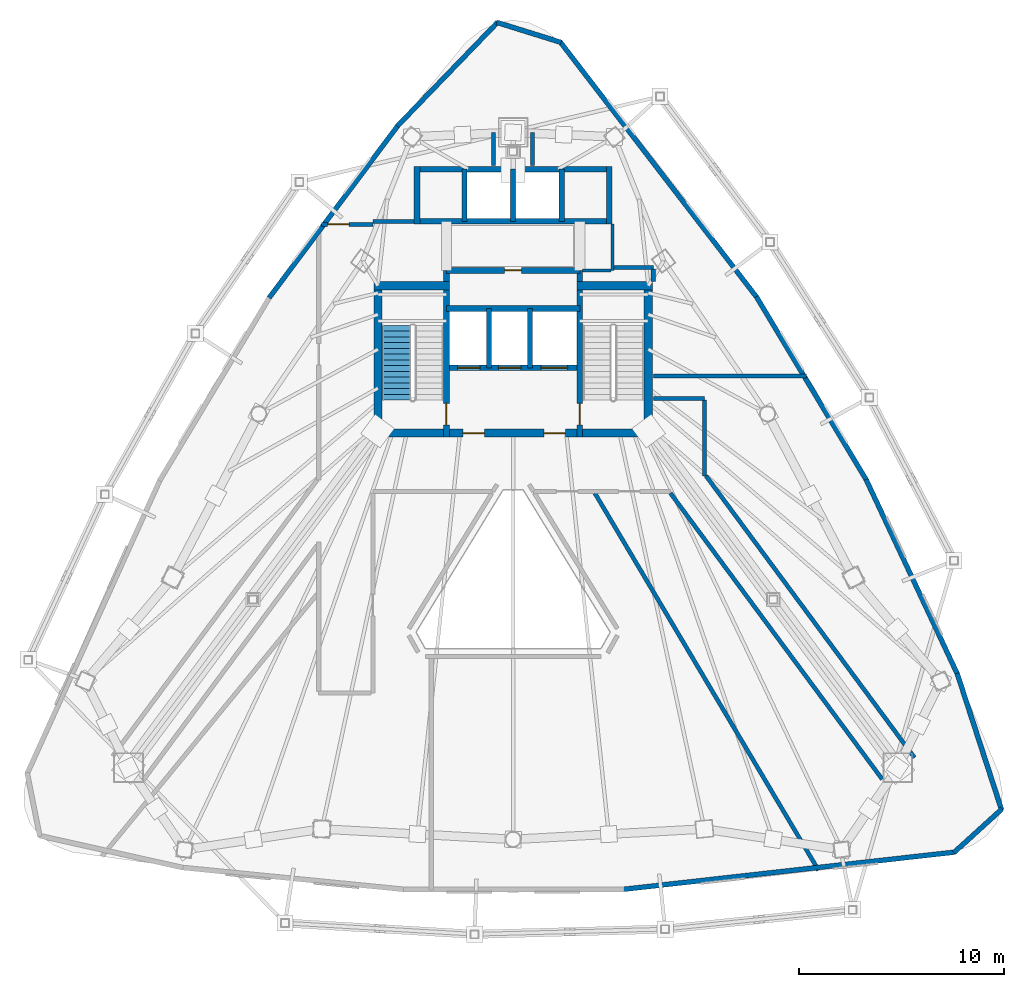
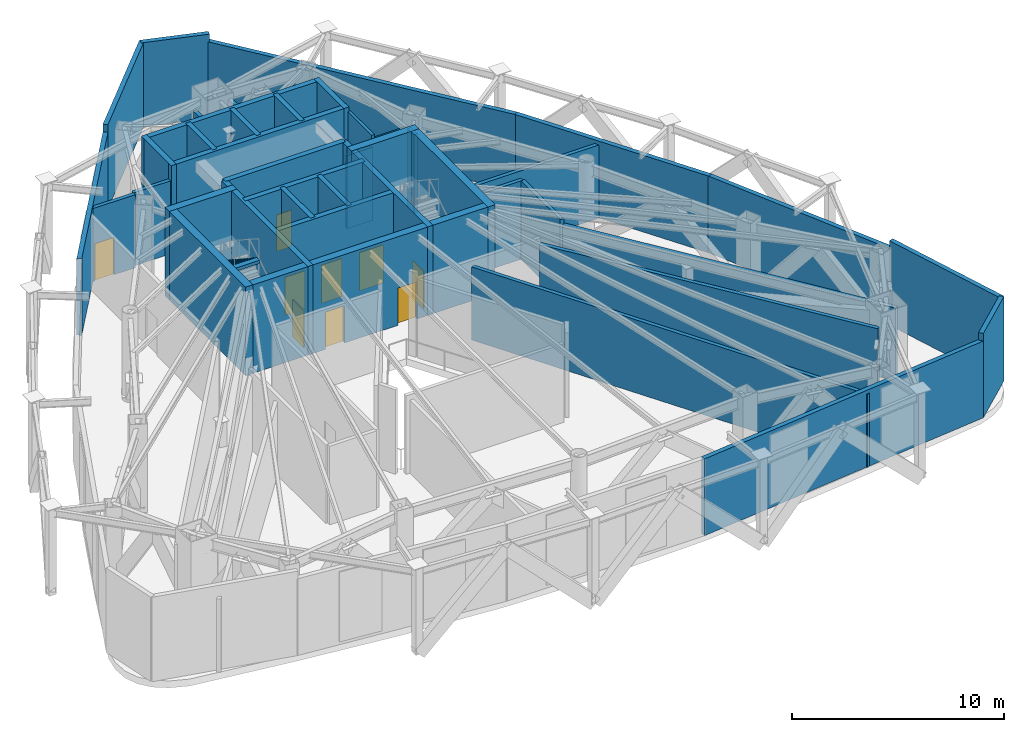
# One storey, part 6 of 10: 42 walls, 9 doors, 1 stair flight, 9 openings, 1 element without a shape of its own.
"""IFC4 building model written with IfcOpenShell, lengths in metres."""

from ifc_helpers import new_model, si_unit, direction, frame, frame_2d, origin, place, context, subcontext, project, spatial, polyline, rectangle, outline, extrude, material, layer, layer_set, type_object, element, fill, aggregate, save


model = new_model("IFC4")

# Units and contexts
model_context = context("Model", 3, precision=1e-05, world=origin(), true_north=direction((0.0, 1.0)))
body_context = subcontext(model_context, "Body", "Model", "MODEL_VIEW")
ifc_project = project(units=[si_unit("LENGTHUNIT", "METRE"), si_unit("AREAUNIT", "SQUARE_METRE"), si_unit("VOLUMEUNIT", "CUBIC_METRE"), si_unit("PLANEANGLEUNIT", "RADIAN"), si_unit("MASSUNIT", "GRAM", prefix="KILO")], contexts=[model_context])

# Site, building, storey
site_placement = place(None, origin())
site = spatial("IfcSite", under=ifc_project, at=site_placement, CompositionType="ELEMENT")
building_placement = place(site_placement, origin())
building = spatial("IfcBuilding", under=site, at=building_placement, Name="Orvanel Arch Residences", CompositionType="ELEMENT")
storey_placement = place(building_placement, frame((0.0, 0.0, 191.300048828125)))
storey = spatial("IfcBuildingStorey", under=building, at=storey_placement, Name="L54", CompositionType="ELEMENT", Elevation=191.300048828125)

# Walls
ifc_material_1 = material(Name="Precast concrete N50 (50 MPa)", Category="concrete")
ifc_layer_1 = layer(ifc_material_1, 0.239990234375)
ifc_layer_set_1 = layer_set([ifc_layer_1], Name="Precast concrete N50 (50 MPa)")
wall_type_1 = type_object("IfcWallType", Name="EW-BAL-240", PredefinedType="SOLIDWALL", material=ifc_layer_set_1)
wall_1_placement = place(storey_placement, frame((27.383056640625, 41.7548828125, 0.0), z_axis=(0.0, 0.0, 1.0), x_axis=(-0.598820885073, -0.800882979967, 0.0)))
element("IfcWall", 1, at=wall_1_placement, inside=storey, type_object=wall_type_1, Name="L54 Plant Acoustic Louvre Wall Face 1A", PredefinedType="SOLIDWALL", context=body_context, shape_type="SweptSolid", body=[
    extrude(rectangle(XDim=10.540771484375, YDim=0.239990234375, at=frame_2d((5.2705078125, 0.0))), origin(), (0.0, 0.0, 1.0), 4.424072265625),
])
wall_2_placement = place(storey_placement, frame((38.35595703125, 4.39892578125, 0.0), z_axis=(0.0, 0.0, 1.0), x_axis=(0.9937592284, 0.111546384836, 0.0)))
element("IfcWall", 2, at=wall_2_placement, inside=storey, type_object=wall_type_1, Name="L54 Plant Acoustic Louvre Wall Face 2C", PredefinedType="SOLIDWALL", context=body_context, shape_type="SweptSolid", body=[
    extrude(rectangle(XDim=16.343017578125, YDim=0.239990234375, at=frame_2d((8.17138671875, 0.0))), origin(), (0.0, 0.0, 1.0), 4.424072265625),
])
wall_3_placement = place(storey_placement, frame((54.72705078125, 14.89697265625, 0.0), z_axis=(0.0, 0.0, 1.0), x_axis=(-0.424652243229, 0.905356544308, 0.0)))
element("IfcWall", 3, at=wall_3_placement, inside=storey, type_object=wall_type_1, Name="L54 Plant Acoustic Louvre Wall Face 3A", PredefinedType="SOLIDWALL", context=body_context, shape_type="SweptSolid", body=[
    extrude(rectangle(XDim=10.54052734375, YDim=0.239990234375, at=frame_2d((5.270263671875, 0.0))), origin(), (0.0, 0.0, 1.0), 4.424072265625),
])
wall_4_placement = place(storey_placement, frame((50.283935546875, 24.3779296875, 0.0), z_axis=(0.0, 0.0, 1.0), x_axis=(-0.514365651005, 0.857570974944, 0.0)))
element("IfcWall", 4, at=wall_4_placement, inside=storey, type_object=wall_type_1, Name="L54 Plant Acoustic Louvre Wall Face 3B", PredefinedType="SOLIDWALL", context=body_context, shape_type="SweptSolid", body=[
    extrude(rectangle(XDim=10.48681640625, YDim=0.239990234375, at=frame_2d((5.243408203125, 0.0))), origin(), (0.0, 0.0, 1.0), 4.424072265625),
])
wall_5_placement = place(storey_placement, frame((44.928955078125, 33.31298828125, 0.0), z_axis=(0.0, 0.0, 1.0), x_axis=(-0.609887729318, 0.792487828063, 0.0)))
element("IfcWall", 5, at=wall_5_placement, inside=storey, type_object=wall_type_1, Name="L54 Plant Acoustic Louvre Wall Face 3C", PredefinedType="SOLIDWALL", context=body_context, shape_type="SweptSolid", body=[
    extrude(rectangle(XDim=15.799560546875, YDim=0.239990234375, at=frame_2d((7.89990234375, 0.0))), origin(), (0.0, 0.0, 1.0), 4.424072265625),
])
wall_6_placement = place(storey_placement, frame((35.346923828125, 45.7958984375, 0.0), z_axis=(0.0, 0.0, 1.0), x_axis=(-0.954803148422, 0.297238873238, 0.0)))
element("IfcWall", 6, at=wall_6_placement, inside=storey, type_object=wall_type_1, Name="L54 Plant Corner Enclosure Wall", PredefinedType="SOLIDWALL", context=body_context, shape_type="SweptSolid", body=[
    extrude(rectangle(XDim=3.301025390625, YDim=0.239990234375, at=frame_2d((1.650390625, 0.0))), origin(), (0.0, 0.0, 1.0), 4.85986328125),
])
wall_7_placement = place(storey_placement, frame((32.2529296875, 46.7919921875, 0.0), z_axis=(0.0, 0.0, 1.0), x_axis=(-0.694628995394, -0.71936816635, 0.0)))
element("IfcWall", 7, at=wall_7_placement, inside=storey, type_object=wall_type_1, Name="L54 Plant Corner Enclosure Wall", PredefinedType="SOLIDWALL", context=body_context, shape_type="SweptSolid", body=[
    extrude(rectangle(XDim=7.07568359375, YDim=0.239990234375, at=frame_2d((3.537841796875, 0.0))), origin(), (0.0, 0.0, 1.0), 4.85986328125),
])
wall_8_placement = place(storey_placement, frame((54.537109375, 6.194091796875, 0.0), z_axis=(0.0, 0.0, 1.0), x_axis=(0.740249045006, 0.672332768328, 0.0)))
element("IfcWall", 8, at=wall_8_placement, inside=storey, type_object=wall_type_1, Name="L54 Plant Corner Enclosure Wall", PredefinedType="SOLIDWALL", context=body_context, shape_type="SweptSolid", body=[
    extrude(rectangle(XDim=3.181396484375, YDim=0.239990234375, at=frame_2d((1.5908203125, 0.0))), origin(), (0.0, 0.0, 1.0), 4.85986328125),
])
wall_9_placement = place(storey_placement, frame((56.876953125, 8.27587890625, 0.0), z_axis=(0.0, 0.0, 1.0), x_axis=(-0.309354585721, 0.950946759968, 0.0)))
element("IfcWall", 9, at=wall_9_placement, inside=storey, type_object=wall_type_1, Name="L54 Plant Corner Enclosure Wall", PredefinedType="SOLIDWALL", context=body_context, shape_type="SweptSolid", body=[
    extrude(rectangle(XDim=7.031005859375, YDim=0.239990234375, at=frame_2d((3.515625, 0.0))), origin(), (0.0, 0.0, 1.0), 4.85986328125),
])
ifc_material_2 = material(Name="Concrete N50 (50 MPa)", Category="concrete")
ifc_layer_2 = layer(ifc_material_2, 0.25)
ifc_layer_set_2 = layer_set([ifc_layer_2], Name="Concrete N50 (50 MPa)")
wall_type_2 = type_object("IfcWallType", Name="SW-CORE-250", PredefinedType="SHEAR", material=ifc_layer_set_2)
for number, where, z_axis, x_axis, name in (
    (10, (31.824951171875, 29.889892578125, 0.0), (0.0, 0.0, 1.0), (0.0, 1.0, 0.0), "L54 Emergency Lift Inter-Shaft Wall F12"),
    (11, (33.824951171875, 29.889892578125, 0.0), (0.0, 0.0, 1.0), (0.0, 1.0, 0.0), "L54 Emergency Lift Inter-Shaft Wall F2G"),
):
    element("IfcWall", number, at=place(storey_placement, frame(where, z_axis=z_axis, x_axis=x_axis)), inside=storey, type_object=wall_type_2, Name=name, PredefinedType="SHEAR", context=body_context, shape_type="SweptSolid", body=[
        extrude(rectangle(XDim=2.900146484375, YDim=0.25, at=frame_2d((1.4501953125, 0.0))), origin(), (0.0, 0.0, 1.0), 5.099853515625),
    ])
for number, where, z_axis, x_axis, name in (
    (12, (30.625, 37.050048828125, 0.0), (0.0, 0.0, 1.0), (0.0, 1.0, 0.0), "L54 Passenger Lift Inter-Shaft Wall P35"),
    (13, (33.0, 37.050048828125, 0.0), (0.0, 0.0, 1.0), (0.0, 1.0, 0.0), "L54 Passenger Lift Inter-Shaft Wall P56"),
    (14, (35.375, 37.050048828125, 0.0), (0.0, 0.0, 1.0), (0.0, 1.0, 0.0), "L54 Passenger Lift Inter-Shaft Wall P64"),
):
    element("IfcWall", number, at=place(storey_placement, frame(where, z_axis=z_axis, x_axis=x_axis)), inside=storey, type_object=wall_type_2, Name=name, PredefinedType="SHEAR", context=body_context, shape_type="SweptSolid", body=[
        extrude(rectangle(XDim=2.550048828125, YDim=0.25, at=frame_2d((1.27490234375, 0.0))), origin(), (0.0, 0.0, 1.0), 5.099853515625),
    ])

# Wall, opening, door
ifc_material_3 = material(Name="Concrete S65 (65 MPa)", Category="concrete")
ifc_layer_3 = layer(ifc_material_3, 0.280029296875)
ifc_layer_set_3 = layer_set([ifc_layer_3], Name="Concrete S65 (65 MPa)")
wall_type_3 = type_object("IfcWallType", Name="SW-CORE-280", PredefinedType="SHEAR", material=ifc_layer_set_3)
wall_10_placement = place(storey_placement, frame((29.739990234375, 26.5, 0.0), z_axis=(0.0, 0.0, 1.0), x_axis=(0.0, 1.0, 0.0)))
wall_10 = element("IfcWall", 15, at=wall_10_placement, inside=storey, type_object=wall_type_3, Name="L54 West Inner Core Spine Shear Wall", PredefinedType="SHEAR", context=body_context, shape_type="SweptSolid", body=[
    extrude(rectangle(XDim=8.14990234375, YDim=0.280029296875, at=frame_2d((4.074951171875, 0.0))), origin(), (0.0, 0.0, 1.0), 5.099853515625),
])
opening_1_placement = place(wall_10_placement, frame((0.60009765625, 0.0, 0.0)))
opening_1 = element("IfcOpeningElement", 16, at=opening_1_placement, cuts=wall_10, Name="Opening DF-120", PredefinedType="OPENING", context=body_context, shape_type="SweptSolid", body=[
    extrude(rectangle(XDim=1.050048828125, YDim=2.14990234375, at=frame_2d((0.52490234375, 1.074951171875))), frame((0.0, 0.14990234375, 0.0), z_axis=(0.0, -1.0, 0.0), x_axis=(1.0, 0.0, 0.0)), (0.0, 0.0, 1.0), 0.300048828125),
])
ifc_material_4 = material(Name="Galvanised steel fire-resisting door assembly", Category="steel")
door_type_1 = type_object("IfcDoorType", Name="DR-FD120-1050", OperationType="NOTDEFINED", PredefinedType="DOOR", material=ifc_material_4)
door_1_placement = place(opening_1_placement, origin())
door_1 = element("IfcDoor", 17, at=door_1_placement, inside=storey, type_object=door_type_1, Name="DR-L54-ST1 L54 Stair 1 Fire Door", OperationType="SINGLE_SWING_LEFT", OverallHeight=2.14990234375, OverallWidth=1.050048828125, PredefinedType="DOOR", context=body_context, shape_type="SweptSolid", body=[
    extrude(rectangle(XDim=1.050048828125, YDim=2.14990234375, at=frame_2d((0.52490234375, 1.074951171875))), frame((0.0, 0.02490234375, 0.0), z_axis=(0.0, -1.0, 0.0), x_axis=(1.0, 0.0, 0.0)), (0.0, 0.0, 1.0), 0.050048828125),
])
fill(opening_1, door_1)

wall_11_placement = place(storey_placement, frame((36.260009765625, 26.5, 0.0), z_axis=(0.0, 0.0, 1.0), x_axis=(0.0, 1.0, 0.0)))
wall_11 = element("IfcWall", 18, at=wall_11_placement, inside=storey, type_object=wall_type_3, Name="L54 East Inner Core Spine Shear Wall", PredefinedType="SHEAR", context=body_context, shape_type="SweptSolid", body=[
    extrude(rectangle(XDim=8.14990234375, YDim=0.280029296875, at=frame_2d((4.074951171875, 0.0))), origin(), (0.0, 0.0, 1.0), 5.099853515625),
])
opening_2_placement = place(wall_11_placement, frame((0.60009765625, 0.0, 0.0)))
opening_2 = element("IfcOpeningElement", 19, at=opening_2_placement, cuts=wall_11, Name="Opening DF-120", PredefinedType="OPENING", context=body_context, shape_type="SweptSolid", body=[
    extrude(rectangle(XDim=1.050048828125, YDim=2.14990234375, at=frame_2d((0.52490234375, 1.074951171875))), frame((0.0, 0.14990234375, 0.0), z_axis=(0.0, -1.0, 0.0), x_axis=(1.0, 0.0, 0.0)), (0.0, 0.0, 1.0), 0.300048828125),
])
door_2_placement = place(opening_2_placement, origin())
door_2 = element("IfcDoor", 20, at=door_2_placement, inside=storey, type_object=door_type_1, Name="DR-L54-ST2 L54 Stair 2 Fire Door", OperationType="SINGLE_SWING_RIGHT", OverallHeight=2.14990234375, OverallWidth=1.050048828125, PredefinedType="DOOR", context=body_context, shape_type="SweptSolid", body=[
    extrude(rectangle(XDim=1.050048828125, YDim=2.14990234375, at=frame_2d((0.52490234375, 1.074951171875))), frame((0.0, 0.02490234375, 0.0), z_axis=(0.0, -1.0, 0.0), x_axis=(1.0, 0.0, 0.0)), (0.0, 0.0, 1.0), 0.050048828125),
])
fill(opening_2, door_2)

# Wall, openings, doors
wall_12_placement = place(storey_placement, frame((36.260009765625, 29.889892578125, 0.0), z_axis=(0.0, 0.0, 1.0), x_axis=(-1.0, 0.0, 0.0)))
wall_12 = element("IfcWall", 21, at=wall_12_placement, inside=storey, type_object=wall_type_3, Name="L54 Emergency Lift Front Core Shear Wall", PredefinedType="SHEAR", context=body_context, shape_type="SweptSolid", body=[
    extrude(rectangle(XDim=6.52001953125, YDim=0.280029296875, at=frame_2d((3.260009765625, 0.0))), origin(), (0.0, 0.0, 1.0), 5.099853515625),
])
opening_3_placement = place(wall_12_placement, frame((4.875, 0.0, 0.0)))
opening_3 = element("IfcOpeningElement", 22, at=opening_3_placement, cuts=wall_12, Name="Opening LD-110", PredefinedType="OPENING", context=body_context, shape_type="SweptSolid", body=[
    extrude(rectangle(XDim=1.10009765625, YDim=2.199951171875, at=frame_2d((0.550048828125, 1.10009765625))), frame((0.0, 0.14990234375, 0.0), z_axis=(0.0, -1.0, 0.0), x_axis=(1.0, 0.0, 0.0)), (0.0, 0.0, 1.0), 0.300048828125),
])
opening_4_placement = place(wall_12_placement, frame((2.875, 0.0, 0.0)))
opening_4 = element("IfcOpeningElement", 23, at=opening_4_placement, cuts=wall_12, Name="Opening LD-110", PredefinedType="OPENING", context=body_context, shape_type="SweptSolid", body=[
    extrude(rectangle(XDim=1.10009765625, YDim=2.199951171875, at=frame_2d((0.550048828125, 1.10009765625))), frame((0.0, 0.14990234375, 0.0), z_axis=(0.0, -1.0, 0.0), x_axis=(1.0, 0.0, 0.0)), (0.0, 0.0, 1.0), 0.300048828125),
])
opening_5_placement = place(wall_12_placement, frame((0.60009765625, 0.0, 0.0)))
opening_5 = element("IfcOpeningElement", 24, at=opening_5_placement, cuts=wall_12, Name="Opening LD-130", PredefinedType="OPENING", context=body_context, shape_type="SweptSolid", body=[
    extrude(rectangle(XDim=1.300048828125, YDim=2.199951171875, at=frame_2d((0.64990234375, 1.10009765625))), frame((0.0, 0.14990234375, 0.0), z_axis=(0.0, -1.0, 0.0), x_axis=(1.0, 0.0, 0.0)), (0.0, 0.0, 1.0), 0.300048828125),
])
door_type_2 = type_object("IfcDoorType", Name="DR-LFT-1100", OperationType="NOTDEFINED", PredefinedType="DOOR", material=ifc_material_4)
door_3_placement = place(opening_3_placement, origin())
door_3 = element("IfcDoor", 25, at=door_3_placement, inside=storey, type_object=door_type_2, Name="LD-F1-L54 L54 Lift F1 Sliding Landing Door", OperationType="DOUBLE_DOOR_SLIDING", OverallHeight=2.199951171875, OverallWidth=1.10009765625, PredefinedType="DOOR", context=body_context, shape_type="SweptSolid", body=[
    extrude(rectangle(XDim=1.10009765625, YDim=2.199951171875, at=frame_2d((0.550048828125, 1.10009765625))), frame((0.0, 0.02490234375, 0.0), z_axis=(0.0, -1.0, 0.0), x_axis=(1.0, 0.0, 0.0)), (0.0, 0.0, 1.0), 0.050048828125),
])
fill(opening_3, door_3)
door_4_placement = place(opening_4_placement, origin())
door_4 = element("IfcDoor", 26, at=door_4_placement, inside=storey, type_object=door_type_2, Name="LD-F2-L54 L54 Lift F2 Sliding Landing Door", OperationType="DOUBLE_DOOR_SLIDING", OverallHeight=2.199951171875, OverallWidth=1.10009765625, PredefinedType="DOOR", context=body_context, shape_type="SweptSolid", body=[
    extrude(rectangle(XDim=1.10009765625, YDim=2.199951171875, at=frame_2d((0.550048828125, 1.10009765625))), frame((0.0, 0.02490234375, 0.0), z_axis=(0.0, -1.0, 0.0), x_axis=(1.0, 0.0, 0.0)), (0.0, 0.0, 1.0), 0.050048828125),
])
fill(opening_4, door_4)
door_type_3 = type_object("IfcDoorType", Name="DR-LFT-1300", OperationType="NOTDEFINED", PredefinedType="DOOR", material=ifc_material_4)
door_5_placement = place(opening_5_placement, origin())
door_5 = element("IfcDoor", 27, at=door_5_placement, inside=storey, type_object=door_type_3, Name="LD-G1-L54 L54 Lift G1 Sliding Landing Door", OperationType="DOUBLE_DOOR_SLIDING", OverallHeight=2.199951171875, OverallWidth=1.300048828125, PredefinedType="DOOR", context=body_context, shape_type="SweptSolid", body=[
    extrude(rectangle(XDim=1.300048828125, YDim=2.199951171875, at=frame_2d((0.64990234375, 1.10009765625))), frame((0.0, 0.02490234375, 0.0), z_axis=(0.0, -1.0, 0.0), x_axis=(1.0, 0.0, 0.0)), (0.0, 0.0, 1.0), 0.050048828125),
])
fill(opening_5, door_5)

# Wall
wall_13_placement = place(storey_placement, frame((29.739990234375, 32.7900390625, 0.0), z_axis=(0.0, 0.0, 1.0), x_axis=(1.0, 0.0, 0.0)))
element("IfcWall", 28, at=wall_13_placement, inside=storey, type_object=wall_type_3, Name="L54 Emergency Lift Back Core Shear Wall", PredefinedType="SHEAR", context=body_context, shape_type="SweptSolid", body=[
    extrude(rectangle(XDim=6.52001953125, YDim=0.280029296875, at=frame_2d((3.260009765625, 0.0))), origin(), (0.0, 0.0, 1.0), 5.099853515625),
])

# Wall, opening, door
wall_14_placement = place(storey_placement, frame((29.739990234375, 34.64990234375, 0.0), z_axis=(0.0, 0.0, 1.0), x_axis=(1.0, 0.0, 0.0)))
wall_14 = element("IfcWall", 29, at=wall_14_placement, inside=storey, type_object=wall_type_3, Name="L54 Core Service Band North Shear Wall", PredefinedType="SHEAR", context=body_context, shape_type="SweptSolid", body=[
    extrude(rectangle(XDim=6.52001953125, YDim=0.280029296875, at=frame_2d((3.260009765625, 0.0))), origin(), (0.0, 0.0, 1.0), 5.099853515625),
])
opening_6_placement = place(wall_14_placement, frame((2.840087890625, 0.0, 0.0)))
opening_6 = element("IfcOpeningElement", 30, at=opening_6_placement, cuts=wall_14, Name="Opening DS-082", PredefinedType="OPENING", context=body_context, shape_type="SweptSolid", body=[
    extrude(rectangle(XDim=0.820068359375, YDim=2.10009765625, at=frame_2d((0.41015625, 1.050048828125))), frame((0.0, 0.14990234375, 0.0), z_axis=(0.0, -1.0, 0.0), x_axis=(1.0, 0.0, 0.0)), (0.0, 0.0, 1.0), 0.300048828125),
])
door_type_4 = type_object("IfcDoorType", Name="DR-SVC-820", OperationType="NOTDEFINED", PredefinedType="DOOR", material=ifc_material_4)
door_6_placement = place(opening_6_placement, origin())
door_6 = element("IfcDoor", 31, at=door_6_placement, inside=storey, type_object=door_type_4, Name="DR-L54-CSVC-1 L54 Housekeeping Linen Store Door", OperationType="SINGLE_SWING_LEFT", OverallHeight=2.10009765625, OverallWidth=0.820068359375, PredefinedType="DOOR", context=body_context, shape_type="SweptSolid", body=[
    extrude(rectangle(XDim=0.820068359375, YDim=2.10009765625, at=frame_2d((0.41015625, 1.050048828125))), frame((0.0, 0.02490234375, 0.0), z_axis=(0.0, -1.0, 0.0), x_axis=(1.0, 0.0, 0.0)), (0.0, 0.0, 1.0), 0.050048828125),
])
fill(opening_6, door_6)

# Walls
for number, where, z_axis, x_axis, name in (
    (32, (37.840087890625, 37.050048828125, 0.0), (0.0, 0.0, 1.0), (-1.0, 0.0, 0.0), "L54 Passenger Lift Bank Front Shear Wall"),
    (33, (28.159912109375, 39.60009765625, 0.0), (0.0, 0.0, 1.0), (1.0, 0.0, 0.0), "L54 Passenger Lift Bank North Shear Wall"),
):
    element("IfcWall", number, at=place(storey_placement, frame(where, z_axis=z_axis, x_axis=x_axis)), inside=storey, type_object=wall_type_3, Name=name, PredefinedType="SHEAR", context=body_context, shape_type="SweptSolid", body=[
        extrude(rectangle(XDim=9.68017578125, YDim=0.280029296875, at=frame_2d((4.840087890625, 0.0))), origin(), (0.0, 0.0, 1.0), 5.099853515625),
    ])
for number, where, z_axis, x_axis, name in (
    (34, (28.300048828125, 36.909912109375, 0.0), (0.0, 0.0, 1.0), (0.0, 1.0, 0.0), "L54 Passenger Lift Bank West Shear Wall"),
    (35, (37.699951171875, 36.909912109375, 0.0), (0.0, 0.0, 1.0), (0.0, 1.0, 0.0), "L54 Passenger Lift Bank East Shear Wall"),
):
    element("IfcWall", number, at=place(storey_placement, frame(where, z_axis=z_axis, x_axis=x_axis)), inside=storey, type_object=wall_type_3, Name=name, PredefinedType="SHEAR", context=body_context, shape_type="SweptSolid", body=[
        extrude(rectangle(XDim=2.830078125, YDim=0.280029296875, at=frame_2d((1.4150390625, 0.0))), origin(), (0.0, 0.0, 1.0), 5.099853515625),
    ])

# Wall, openings, doors
ifc_layer_4 = layer(ifc_material_3, 0.39990234375)
ifc_layer_set_4 = layer_set([ifc_layer_4], Name="Concrete S65 (65 MPa)")
wall_type_4 = type_object("IfcWallType", Name="SW-CORE-400", PredefinedType="SHEAR", material=ifc_layer_set_4)
wall_15_placement = place(storey_placement, frame((26.199951171875, 26.699951171875, 0.0), z_axis=(0.0, 0.0, 1.0), x_axis=(1.0, 0.0, 0.0)))
wall_15 = element("IfcWall", 36, at=wall_15_placement, inside=storey, type_object=wall_type_4, Name="L54 South Core Shear Wall", PredefinedType="SHEAR", context=body_context, shape_type="SweptSolid", body=[
    extrude(rectangle(XDim=13.60009765625, YDim=0.39990234375, at=frame_2d((6.800048828125, 0.0))), origin(), (0.0, 0.0, 1.0), 5.099853515625),
])
opening_7_placement = place(wall_15_placement, frame((4.35009765625, 0.0, 0.0)))
opening_7 = element("IfcOpeningElement", 37, at=opening_7_placement, cuts=wall_15, Name="Opening DF-060", PredefinedType="OPENING", context=body_context, shape_type="SweptSolid", body=[
    extrude(rectangle(XDim=1.050048828125, YDim=2.14990234375, at=frame_2d((0.52490234375, 1.074951171875))), frame((0.0, 0.2099609375, 0.0), z_axis=(0.0, -1.0, 0.0), x_axis=(1.0, 0.0, 0.0)), (0.0, 0.0, 1.0), 0.419921875),
])
opening_8_placement = place(wall_15_placement, frame((8.300048828125, 0.0, 0.0)))
opening_8 = element("IfcOpeningElement", 38, at=opening_8_placement, cuts=wall_15, Name="Opening DF-060", PredefinedType="OPENING", context=body_context, shape_type="SweptSolid", body=[
    extrude(rectangle(XDim=1.050048828125, YDim=2.14990234375, at=frame_2d((0.52490234375, 1.074951171875))), frame((0.0, 0.2099609375, 0.0), z_axis=(0.0, -1.0, 0.0), x_axis=(1.0, 0.0, 0.0)), (0.0, 0.0, 1.0), 0.419921875),
])
door_type_5 = type_object("IfcDoorType", Name="DR-FD60-1050", OperationType="NOTDEFINED", PredefinedType="DOOR", material=ifc_material_4)
door_7_placement = place(opening_7_placement, origin())
door_7 = element("IfcDoor", 39, at=door_7_placement, inside=storey, type_object=door_type_5, Name="DR-L54-FFL-W L54 West Smoke Lobby Door", OperationType="SINGLE_SWING_LEFT", OverallHeight=2.14990234375, OverallWidth=1.050048828125, PredefinedType="DOOR", context=body_context, shape_type="SweptSolid", body=[
    extrude(rectangle(XDim=1.050048828125, YDim=2.14990234375, at=frame_2d((0.52490234375, 1.074951171875))), frame((0.0, 0.02490234375, 0.0), z_axis=(0.0, -1.0, 0.0), x_axis=(1.0, 0.0, 0.0)), (0.0, 0.0, 1.0), 0.050048828125),
])
fill(opening_7, door_7)
door_8_placement = place(opening_8_placement, origin())
door_8 = element("IfcDoor", 40, at=door_8_placement, inside=storey, type_object=door_type_5, Name="DR-L54-FFL-E L54 East Smoke Lobby Door", OperationType="SINGLE_SWING_RIGHT", OverallHeight=2.14990234375, OverallWidth=1.050048828125, PredefinedType="DOOR", context=body_context, shape_type="SweptSolid", body=[
    extrude(rectangle(XDim=1.050048828125, YDim=2.14990234375, at=frame_2d((0.52490234375, 1.074951171875))), frame((0.0, 0.02490234375, 0.0), z_axis=(0.0, -1.0, 0.0), x_axis=(1.0, 0.0, 0.0)), (0.0, 0.0, 1.0), 0.050048828125),
])
fill(opening_8, door_8)

# Walls
wall_16_placement = place(storey_placement, frame((26.39990234375, 26.5, 0.0), z_axis=(0.0, 0.0, 1.0), x_axis=(0.0, 1.0, 0.0)))
element("IfcWall", 41, at=wall_16_placement, inside=storey, type_object=wall_type_4, Name="L54 West Stair Shear Wall", PredefinedType="SHEAR", context=body_context, shape_type="SweptSolid", body=[
    extrude(rectangle(XDim=7.60009765625, YDim=0.39990234375, at=frame_2d((3.800048828125, 0.0))), origin(), (0.0, 0.0, 1.0), 5.099853515625),
])
wall_17_placement = place(storey_placement, frame((26.199951171875, 33.89990234375, 0.0), z_axis=(0.0, 0.0, 1.0), x_axis=(1.0, 0.0, 0.0)))
element("IfcWall", 42, at=wall_17_placement, inside=storey, type_object=wall_type_4, Name="L54 West Stair North Shear Wall", PredefinedType="SHEAR", context=body_context, shape_type="SweptSolid", body=[
    extrude(rectangle(XDim=3.679931640625, YDim=0.39990234375, at=frame_2d((1.83984375, 0.0))), origin(), (0.0, 0.0, 1.0), 5.099853515625),
])
wall_18_placement = place(storey_placement, frame((39.60009765625, 26.5, 0.0), z_axis=(0.0, 0.0, 1.0), x_axis=(0.0, 1.0, 0.0)))
element("IfcWall", 43, at=wall_18_placement, inside=storey, type_object=wall_type_4, Name="L54 East Stair Shear Wall", PredefinedType="SHEAR", context=body_context, shape_type="SweptSolid", body=[
    extrude(rectangle(XDim=7.60009765625, YDim=0.39990234375, at=frame_2d((3.800048828125, 0.0))), origin(), (0.0, 0.0, 1.0), 5.099853515625),
])
wall_19_placement = place(storey_placement, frame((36.1201171875, 33.89990234375, 0.0), z_axis=(0.0, 0.0, 1.0), x_axis=(1.0, 0.0, 0.0)))
element("IfcWall", 44, at=wall_19_placement, inside=storey, type_object=wall_type_4, Name="L54 East Stair North Shear Wall", PredefinedType="SHEAR", context=body_context, shape_type="SweptSolid", body=[
    extrude(rectangle(XDim=3.679931640625, YDim=0.39990234375, at=frame_2d((1.83984375, 0.0))), origin(), (0.0, 0.0, 1.0), 5.099853515625),
])
ifc_material_5 = material(Name="Fire-rated plasterboard lined steel stud partition", Category="steel")
ifc_layer_5 = layer(ifc_material_5, 0.14990234375)
ifc_layer_set_5 = layer_set([ifc_layer_5], Name="Fire-rated plasterboard lined steel stud partition")
wall_type_5 = type_object("IfcWallType", Name="W-COR-150", PredefinedType="PARTITIONING", material=ifc_layer_set_5)
wall_20_placement = place(storey_placement, frame((37.85009765625, 34.64990234375, 0.0), z_axis=(0.0, 0.0, 1.0), x_axis=(0.0, 1.0, 0.0)))
element("IfcWall", 45, at=wall_20_placement, inside=storey, type_object=wall_type_5, Name="L54 Passenger Lift Lobby East Closure Wall", PredefinedType="PARTITIONING", context=body_context, shape_type="SweptSolid", body=[
    extrude(rectangle(XDim=2.260009765625, YDim=0.14990234375, at=frame_2d((1.1298828125, 0.0))), origin(), (0.0, 0.0, 1.0), 4.85986328125),
])
wall_21_placement = place(storey_placement, frame((36.385009765625, 34.64990234375, 0.0), z_axis=(0.0, 0.0, 1.0), x_axis=(1.0, 0.0, 0.0)))
element("IfcWall", 46, at=wall_21_placement, inside=storey, type_object=wall_type_5, Name="L54 Passenger Lift Lobby South-East Wall", PredefinedType="PARTITIONING", context=body_context, shape_type="SweptSolid", body=[
    extrude(rectangle(XDim=1.405029296875, YDim=0.14990234375, at=frame_2d((0.70263671875, 0.0))), origin(), (0.0, 0.0, 1.0), 4.224853515625),
])

# Wall, opening, door
ifc_layer_6 = layer(ifc_material_5, 0.199951171875)
ifc_layer_set_6 = layer_set([ifc_layer_6], Name="Fire-rated plasterboard lined steel stud partition")
wall_type_6 = type_object("IfcWallType", Name="W-PLT-200", PredefinedType="PARTITIONING", material=ifc_layer_set_6)
wall_22_placement = place(storey_placement, frame((23.633056640625, 36.89990234375, 0.0), z_axis=(0.0, 0.0, 1.0), x_axis=(1.0, 0.0, 0.0)))
wall_22 = element("IfcWall", 47, at=wall_22_placement, inside=storey, type_object=wall_type_6, Name="L54 Fire-Rated Refuge and Plant Corridor Wall", PredefinedType="PARTITIONING", context=body_context, shape_type="SweptSolid", body=[
    extrude(rectangle(XDim=2.516845703125, YDim=0.199951171875, at=frame_2d((1.25830078125, 0.0))), origin(), (0.0, 0.0, 1.0), 4.212890625),
])
opening_9_placement = place(wall_22_placement, frame((0.297119140625, 0.0, 0.0)))
opening_9 = element("IfcOpeningElement", 48, at=opening_9_placement, cuts=wall_22, Name="Opening DF-120", PredefinedType="OPENING", context=body_context, shape_type="SweptSolid", body=[
    extrude(rectangle(XDim=1.050048828125, YDim=2.14990234375, at=frame_2d((0.52490234375, 1.074951171875))), frame((0.0, 0.10986328125, 0.0), z_axis=(0.0, -1.0, 0.0), x_axis=(1.0, 0.0, 0.0)), (0.0, 0.0, 1.0), 0.219970703125),
])
door_9_placement = place(opening_9_placement, origin())
door_9 = element("IfcDoor", 49, at=door_9_placement, inside=storey, type_object=door_type_1, Name="DR-L54-PR-1 L54 L54 Mechanical Air-Handling Plant Room Fire Door", OperationType="SINGLE_SWING_LEFT", OverallHeight=2.14990234375, OverallWidth=1.050048828125, PredefinedType="DOOR", context=body_context, shape_type="SweptSolid", body=[
    extrude(rectangle(XDim=1.050048828125, YDim=2.14990234375, at=frame_2d((0.52490234375, 1.074951171875))), frame((0.0, 0.02490234375, 0.0), z_axis=(0.0, -1.0, 0.0), x_axis=(1.0, 0.0, 0.0)), (0.0, 0.0, 1.0), 0.050048828125),
])
fill(opening_9, door_9)

# Walls
wall_23_placement = place(storey_placement, frame((39.85009765625, 28.39990234375, 0.0), z_axis=(0.0, 0.0, 1.0), x_axis=(1.0, 0.0, 0.0)))
element("IfcWall", 50, at=wall_23_placement, inside=storey, type_object=wall_type_6, Name="L54 Fire-Rated Refuge and Plant Corridor Wall", PredefinedType="PARTITIONING", context=body_context, shape_type="SweptSolid", body=[
    extrude(rectangle(XDim=2.5, YDim=0.199951171875, at=frame_2d((1.25, 0.0))), origin(), (0.0, 0.0, 1.0), 4.52099609375),
])
wall_24_placement = place(storey_placement, frame((42.35009765625, 28.31494140625, 0.0), z_axis=(0.0, 0.0, 1.0), x_axis=(0.0, -1.0, 0.0)))
element("IfcWall", 51, at=wall_24_placement, inside=storey, type_object=wall_type_6, Name="L54 Fire-Rated Refuge and Plant Corridor Wall", PredefinedType="PARTITIONING", context=body_context, shape_type="SweptSolid", body=[
    extrude(rectangle(XDim=3.699951171875, YDim=0.199951171875, at=frame_2d((1.85009765625, 0.0))), origin(), (0.0, 0.0, 1.0), 4.52099609375),
])
wall_25_placement = place(storey_placement, frame((26.14990234375, 37.050048828125, 0.0), z_axis=(0.0, 0.0, 1.0), x_axis=(1.0, 0.0, 0.0)))
element("IfcWall", 52, at=wall_25_placement, inside=storey, type_object=wall_type_6, Name="L54 Core Fire Wall", PredefinedType="PARTITIONING", context=body_context, shape_type="SweptSolid", body=[
    extrude(rectangle(XDim=2.0, YDim=0.199951171875, at=frame_2d((1.0, 0.0))), origin(), (0.0, 0.0, 1.0), 4.212890625),
])
wall_26_placement = place(storey_placement, frame((37.909912109375, 34.800048828125, 0.0), z_axis=(0.0, 0.0, 1.0), x_axis=(1.0, 0.0, 0.0)))
element("IfcWall", 53, at=wall_26_placement, inside=storey, type_object=wall_type_6, Name="L54 Core Fire Wall", PredefinedType="PARTITIONING", context=body_context, shape_type="SweptSolid", body=[
    extrude(rectangle(XDim=1.940185546875, YDim=0.199951171875, at=frame_2d((0.97021484375, 0.0))), origin(), (0.0, 0.0, 1.0), 4.52099609375),
])
wall_27_placement = place(storey_placement, frame((39.85009765625, 34.715087890625, 0.0), z_axis=(0.0, 0.0, 1.0), x_axis=(0.0, -1.0, 0.0)))
element("IfcWall", 54, at=wall_27_placement, inside=storey, type_object=wall_type_6, Name="L54 Core Fire Wall", PredefinedType="PARTITIONING", context=body_context, shape_type="SweptSolid", body=[
    extrude(rectangle(XDim=0.614990234375, YDim=0.199951171875, at=frame_2d((0.3076171875, 0.0))), origin(), (0.0, 0.0, 1.0), 4.52099609375),
])
for number, where, z_axis, x_axis, name in (
    (55, (32.050048828125, 39.7900390625, 0.0), (0.0, 0.0, 1.0), (0.0, 1.0, 0.0), "L54 Outrigger Truss Fire Enclosure Wall"),
    (56, (33.949951171875, 41.39794921875, 0.0), (0.0, 0.0, 1.0), (0.0, -1.0, 0.0), "L54 Outrigger Truss Fire Enclosure Wall"),
):
    element("IfcWall", number, at=place(storey_placement, frame(where, z_axis=z_axis, x_axis=x_axis)), inside=storey, type_object=wall_type_6, Name=name, PredefinedType="PARTITIONING", context=body_context, shape_type="SweptSolid", body=[
        extrude(rectangle(XDim=1.60791015625, YDim=0.199951171875, at=frame_2d((0.803955078125, 0.0))), origin(), (0.0, 0.0, 1.0), 4.212890625),
    ])
wall_28_placement = place(storey_placement, frame((42.424072265625, 24.614990234375, 0.0), z_axis=(0.0, 0.0, 1.0), x_axis=(0.594794767013, -0.803877593377, 0.0)))
element("IfcWall", 57, at=wall_28_placement, inside=storey, type_object=wall_type_6, Name="L54 Outrigger Truss Fire Enclosure Wall", PredefinedType="PARTITIONING", context=body_context, shape_type="SweptSolid", body=[
    extrude(rectangle(XDim=17.13671875, YDim=0.199951171875, at=frame_2d((8.568359375, 0.0))), origin(), (0.0, 0.0, 1.0), 4.212890625),
])
wall_29_placement = place(storey_placement, frame((51.0380859375, 9.785888671875, 0.0), z_axis=(0.0, 0.0, 1.0), x_axis=(-0.594979776733, 0.803740670415, 0.0)))
element("IfcWall", 58, at=wall_29_placement, inside=storey, type_object=wall_type_6, Name="L54 Outrigger Truss Fire Enclosure Wall", PredefinedType="PARTITIONING", context=body_context, shape_type="SweptSolid", body=[
    extrude(rectangle(XDim=17.392333984375, YDim=0.199951171875, at=frame_2d((8.6962890625, 0.0))), origin(), (0.0, 0.0, 1.0), 4.212890625),
])
wall_30_placement = place(storey_placement, frame((47.927978515625, 5.3330078125, 0.0), z_axis=(0.0, 0.0, 1.0), x_axis=(-0.510156779317, 0.860081426678, 0.0)))
element("IfcWall", 59, at=wall_30_placement, inside=storey, type_object=wall_type_6, Name="L54 Fire Compartment Wall", PredefinedType="PARTITIONING", context=body_context, shape_type="SweptSolid", body=[
    extrude(rectangle(XDim=21.430419921875, YDim=0.199951171875, at=frame_2d((10.71533203125, 0.0))), origin(), (0.0, 0.0, 1.0), 4.212890625),
])
wall_31_placement = place(storey_placement, frame((39.85009765625, 29.5, 0.0), z_axis=(0.0, 0.0, 1.0), x_axis=(1.0, 0.0, 0.0)))
element("IfcWall", 60, at=wall_31_placement, inside=storey, type_object=wall_type_6, Name="L54 Fire Compartment Wall", PredefinedType="PARTITIONING", context=body_context, shape_type="SweptSolid", body=[
    extrude(rectangle(XDim=7.4990234375, YDim=0.199951171875, at=frame_2d((3.74951171875, 0.0))), origin(), (0.0, 0.0, 1.0), 4.212890625),
])

# Stair, stair flight
stair_type = type_object("IfcStairType", Name="STR-DOG-181", PredefinedType="USERDEFINED", material=ifc_material_1)
stair_placement = place(storey_placement, origin())
stair = element("IfcStair", 61, at=stair_placement, inside=storey, type_object=stair_type, Name="L54 Fire-Isolated Core Exit Stair 1", ObjectType="TWO_RETURN_STAIR", PredefinedType="USERDEFINED")
stair_flight_type = type_object("IfcStairFlightType", Name="SFL-C1-181", PredefinedType="STRAIGHT", material=ifc_material_1)
stair_flight_placement = place(storey_placement, frame((27.31005859375, 31.9599609375, 2.550048828125), z_axis=(0.0, 0.0, 1.0), x_axis=(0.0, -1.0, 0.0)))
stair_flight = element("IfcStairFlight", 62, at=stair_flight_placement, type_object=stair_flight_type, Name="ST-1 flight 2", NumberOfRisers=14, NumberOfTreads=13, PredefinedType="STRAIGHT", RiserHeight=0.182142857, TreadLength=0.28, context=body_context, shape_type="SweptSolid", body=[
    extrude(outline(polyline([(0.0, 0.0), (0.0, 0.18212890625), (0.280029296875, 0.18212890625), (0.280029296875, 0.3642578125), (0.56005859375, 0.3642578125), (0.56005859375, 0.54638671875), (0.840087890625, 0.54638671875), (0.840087890625, 0.728515625), (1.1201171875, 0.728515625), (1.1201171875, 0.91064453125), (1.39990234375, 0.91064453125), (1.39990234375, 1.0927734375), (1.679931640625, 1.0927734375), (1.679931640625, 1.27490234375), (1.9599609375, 1.27490234375), (1.9599609375, 1.45703125), (2.239990234375, 1.45703125), (2.239990234375, 1.639404296875), (2.52001953125, 1.639404296875), (2.52001953125, 1.821533203125), (2.800048828125, 1.821533203125), (2.800048828125, 2.003662109375), (3.080078125, 2.003662109375), (3.080078125, 2.185791015625), (3.360107421875, 2.185791015625), (3.360107421875, 2.367919921875), (3.639892578125, 2.367919921875), (3.639892578125, 2.550048828125), (3.639892578125, 2.18896484375), (0.27490234375, 0.0), (0.0, 0.0)])), frame((0.0, 0.7099609375, 0.0), z_axis=(0.0, -1.0, 0.0), x_axis=(1.0, 0.0, 0.0)), (0.0, 0.0, 1.0), 1.419921875),
])
aggregate(stair, [stair_flight])

save(model, "model.ifc")
